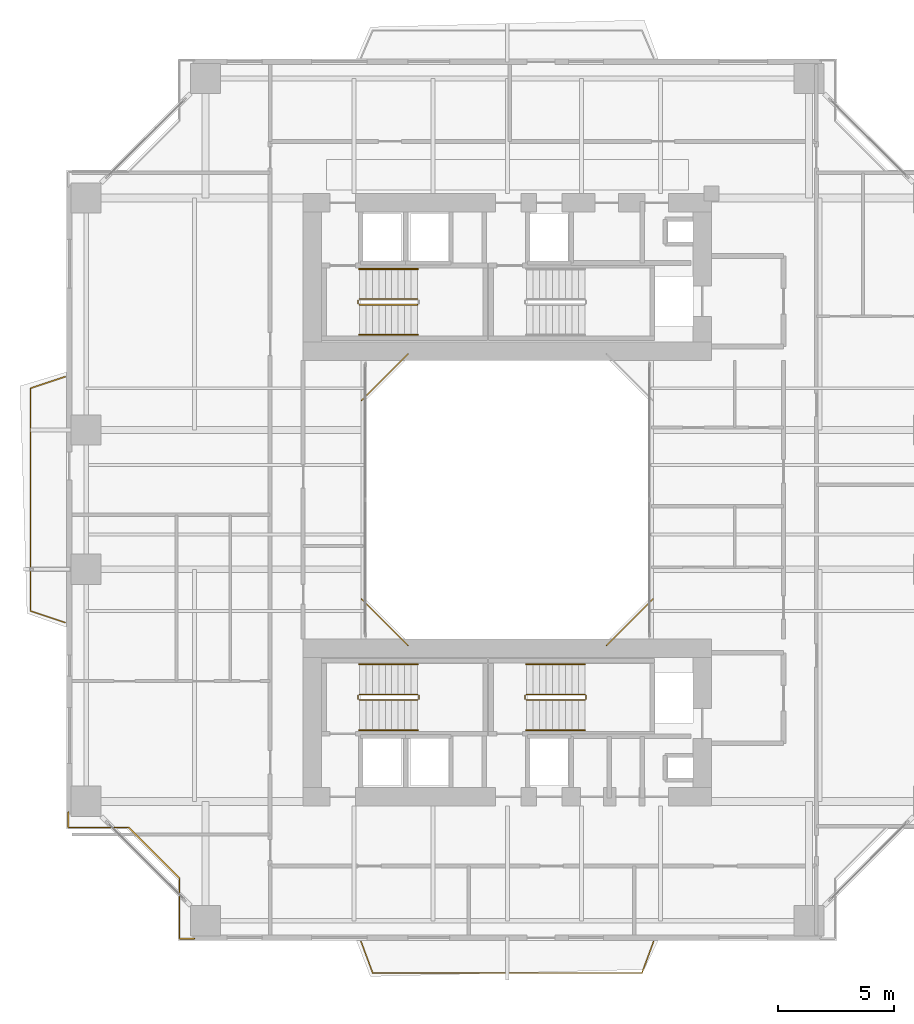
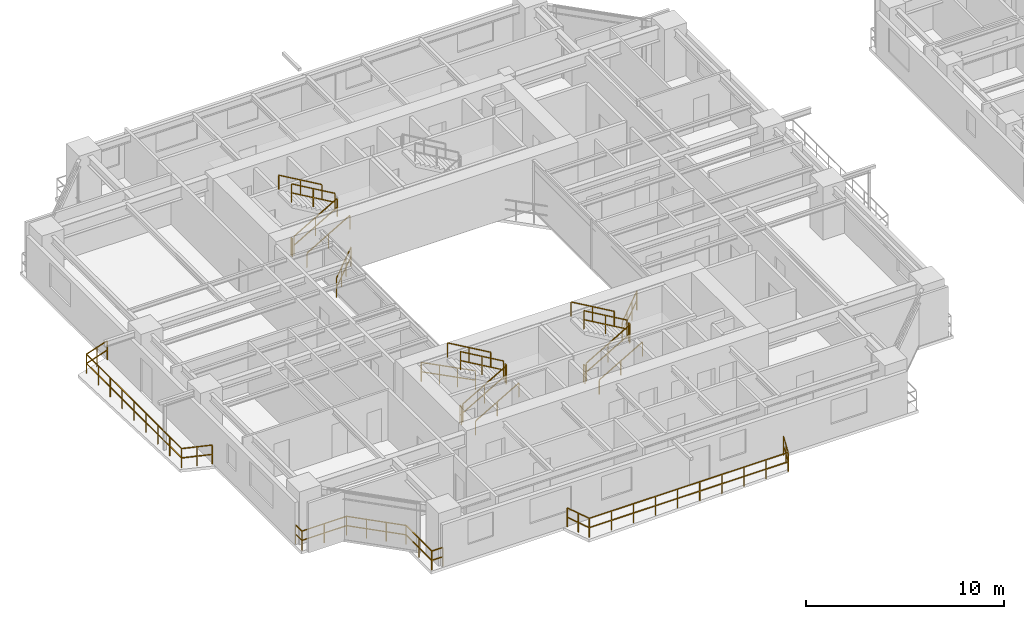
# One storey, part 20 of 23: 23 railings.
"""IFC4 building model written with IfcOpenShell, lengths in metres."""

from ifc_helpers import new_model, si_unit, direction, frame, origin, origin_2d, place, context, subcontext, project, spatial, rectangle, extrude, material, type_object, element, save


model = new_model("IFC4")

# Units and contexts
model_context = context("Model", 3, precision=1e-05, world=origin(), true_north=direction((0.0, 1.0)))
body_context = subcontext(model_context, "Body", "Model", "MODEL_VIEW")
ifc_project = project(units=[si_unit("LENGTHUNIT", "METRE"), si_unit("AREAUNIT", "SQUARE_METRE"), si_unit("VOLUMEUNIT", "CUBIC_METRE"), si_unit("PLANEANGLEUNIT", "RADIAN"), si_unit("MASSUNIT", "GRAM", prefix="KILO"), si_unit("THERMODYNAMICTEMPERATUREUNIT", "KELVIN"), si_unit("POWERUNIT", "WATT")], contexts=[model_context])

# Site, building, storey
site_placement = place(None, origin())
site = spatial("IfcSite", under=ifc_project, at=site_placement, CompositionType="ELEMENT")
building_placement = place(site_placement, origin())
building = spatial("IfcBuilding", under=site, at=building_placement, Name="Qiaomeng Ring Towers", CompositionType="ELEMENT")
storey_placement = place(building_placement, frame((0.0, 0.0, 26.25)))
storey = spatial("IfcBuildingStorey", under=building, at=storey_placement, Name="L06", CompositionType="ELEMENT", Elevation=26.25)

# Railings
ifc_material_1 = material(Name="Low-E pale-green laminated safety glass", Category="glass")
railing_type_1 = type_object("IfcRailingType", Name="ARC-RL-BAL1", PredefinedType="BALUSTRADE", material=ifc_material_1)
railing_1_placement = place(storey_placement, frame((23.280029296875, 16.719970703125, 0.0)))
element("IfcRailing", 1, at=railing_1_placement, inside=storey, type_object=railing_type_1, Name="L06 Balustrade ARC-BAL-WELL1-L06-1", PredefinedType="BALUSTRADE", context=body_context, shape_type="SweptSolid", body=[
    extrude(rectangle(XDim=0.048095703125, YDim=0.048095703125, at=origin_2d()), frame((0.0, 0.0, 1.17578125), z_axis=(0.707106781187, 0.707106781187, 0.0), x_axis=(-0.707106781187, 0.707106781187, 0.0)), (0.0, 0.0, 1.0), 2.828369140625),
    extrude(rectangle(XDim=0.048095703125, YDim=0.048095703125, at=origin_2d()), frame((0.0, 0.0, 0.60009765625), z_axis=(0.707106781187, 0.707106781187, 0.0), x_axis=(-0.707106781187, 0.707106781187, 0.0)), (0.0, 0.0, 1.0), 2.828369140625),
    extrude(rectangle(XDim=0.0419921875, YDim=0.0419921875, at=origin_2d()), origin(), (0.0, 0.0, 1.0), 1.15185546875),
    extrude(rectangle(XDim=0.0419921875, YDim=0.0419921875, at=origin_2d()), frame((0.666748046875, 0.666748046875, 0.0)), (0.0, 0.0, 1.0), 1.15185546875),
    extrude(rectangle(XDim=0.0419921875, YDim=0.0419921875, at=origin_2d()), frame((1.333251953125, 1.333251953125, 0.0)), (0.0, 0.0, 1.0), 1.15185546875),
    extrude(rectangle(XDim=0.0419921875, YDim=0.0419921875, at=origin_2d()), frame((2.0, 2.0, 0.0)), (0.0, 0.0, 1.0), 1.15185546875),
])
railing_2_placement = place(storey_placement, frame((14.719970703125, 29.280029296875, 0.0)))
element("IfcRailing", 2, at=railing_2_placement, inside=storey, type_object=railing_type_1, Name="L06 Balustrade ARC-BAL-WELL1-L06-3", PredefinedType="BALUSTRADE", context=body_context, shape_type="SweptSolid", body=[
    extrude(rectangle(XDim=0.048095703125, YDim=0.048095703125, at=origin_2d()), frame((0.0, 0.0, 1.17578125), z_axis=(-0.707106781187, -0.707106781187, 0.0), x_axis=(0.707106781187, -0.707106781187, 0.0)), (0.0, 0.0, 1.0), 2.828369140625),
    extrude(rectangle(XDim=0.048095703125, YDim=0.048095703125, at=origin_2d()), frame((0.0, 0.0, 0.60009765625), z_axis=(-0.707106781187, -0.707106781187, 0.0), x_axis=(0.707106781187, -0.707106781187, 0.0)), (0.0, 0.0, 1.0), 2.828369140625),
    extrude(rectangle(XDim=0.0419921875, YDim=0.0419921875, at=origin_2d()), origin(), (0.0, 0.0, 1.0), 1.15185546875),
    extrude(rectangle(XDim=0.0419921875, YDim=0.0419921875, at=origin_2d()), frame((-0.666748046875, -0.666748046875, 0.0)), (0.0, 0.0, 1.0), 1.15185546875),
    extrude(rectangle(XDim=0.0419921875, YDim=0.0419921875, at=origin_2d()), frame((-1.333251953125, -1.333251953125, 0.0)), (0.0, 0.0, 1.0), 1.15185546875),
    extrude(rectangle(XDim=0.0419921875, YDim=0.0419921875, at=origin_2d()), frame((-2.0, -2.0, 0.0)), (0.0, 0.0, 1.0), 1.15185546875),
])
railing_3_placement = place(storey_placement, frame((12.719970703125, 18.719970703125, 0.0)))
element("IfcRailing", 3, at=railing_3_placement, inside=storey, type_object=railing_type_1, Name="L06 Balustrade ARC-BAL-WELL1-L06-4", PredefinedType="BALUSTRADE", context=body_context, shape_type="SweptSolid", body=[
    extrude(rectangle(XDim=0.048095703125, YDim=0.048095703125, at=origin_2d()), frame((0.0, 0.0, 1.17578125), z_axis=(0.707106781187, -0.707106781187, 0.0), x_axis=(0.707106781187, 0.707106781187, 0.0)), (0.0, 0.0, 1.0), 2.828369140625),
    extrude(rectangle(XDim=0.048095703125, YDim=0.048095703125, at=origin_2d()), frame((0.0, 0.0, 0.60009765625), z_axis=(0.707106781187, -0.707106781187, 0.0), x_axis=(0.707106781187, 0.707106781187, 0.0)), (0.0, 0.0, 1.0), 2.828369140625),
    extrude(rectangle(XDim=0.0419921875, YDim=0.0419921875, at=origin_2d()), origin(), (0.0, 0.0, 1.0), 1.15185546875),
    extrude(rectangle(XDim=0.0419921875, YDim=0.0419921875, at=origin_2d()), frame((0.666748046875, -0.666748046875, 0.0)), (0.0, 0.0, 1.0), 1.15185546875),
    extrude(rectangle(XDim=0.0419921875, YDim=0.0419921875, at=origin_2d()), frame((1.333251953125, -1.333251953125, 0.0)), (0.0, 0.0, 1.0), 1.15185546875),
    extrude(rectangle(XDim=0.0419921875, YDim=0.0419921875, at=origin_2d()), frame((2.0, -2.0, 0.0)), (0.0, 0.0, 1.0), 1.15185546875),
])
railing_4_placement = place(storey_placement, frame((0.080078125, 9.530029296875, 0.0)))
element("IfcRailing", 4, at=railing_4_placement, inside=storey, type_object=railing_type_1, Name="L06 Balustrade ARC-BAL-NOTCH1-L06-SW", PredefinedType="BALUSTRADE", context=body_context, shape_type="SweptSolid", body=[
    extrude(rectangle(XDim=0.048095703125, YDim=0.048095703125, at=origin_2d()), frame((0.0, 0.0, 1.17578125), z_axis=(0.0, -1.0, 0.0), x_axis=(1.0, 0.0, 0.0)), (0.0, 0.0, 1.0), 0.650146484375),
    extrude(rectangle(XDim=0.048095703125, YDim=0.048095703125, at=origin_2d()), frame((0.0, 0.0, 0.60009765625), z_axis=(0.0, -1.0, 0.0), x_axis=(1.0, 0.0, 0.0)), (0.0, 0.0, 1.0), 0.650146484375),
    extrude(rectangle(XDim=0.048095703125, YDim=0.048095703125, at=origin_2d()), frame((0.0, -0.650146484375, 1.17578125), z_axis=(1.0, 0.0, 0.0), x_axis=(0.0, 1.0, 0.0)), (0.0, 0.0, 1.0), 2.599853515625),
    extrude(rectangle(XDim=0.048095703125, YDim=0.048095703125, at=origin_2d()), frame((0.0, -0.650146484375, 0.60009765625), z_axis=(1.0, 0.0, 0.0), x_axis=(0.0, 1.0, 0.0)), (0.0, 0.0, 1.0), 2.599853515625),
    extrude(rectangle(XDim=0.048095703125, YDim=0.048095703125, at=origin_2d()), frame((2.599853515625, -0.650146484375, 1.17578125), z_axis=(0.707106781187, -0.707106781187, 0.0), x_axis=(0.707106781187, 0.707106781187, 0.0)), (0.0, 0.0, 1.0), 3.111083984375),
    extrude(rectangle(XDim=0.048095703125, YDim=0.048095703125, at=origin_2d()), frame((2.599853515625, -0.650146484375, 0.60009765625), z_axis=(0.707106781187, -0.707106781187, 0.0), x_axis=(0.707106781187, 0.707106781187, 0.0)), (0.0, 0.0, 1.0), 3.111083984375),
    extrude(rectangle(XDim=0.048095703125, YDim=0.048095703125, at=origin_2d()), frame((4.7998046875, -2.85009765625, 1.17578125), z_axis=(0.0, -1.0, 0.0), x_axis=(1.0, 0.0, 0.0)), (0.0, 0.0, 1.0), 2.599853515625),
    extrude(rectangle(XDim=0.048095703125, YDim=0.048095703125, at=origin_2d()), frame((4.7998046875, -2.85009765625, 0.60009765625), z_axis=(0.0, -1.0, 0.0), x_axis=(1.0, 0.0, 0.0)), (0.0, 0.0, 1.0), 2.599853515625),
    extrude(rectangle(XDim=0.048095703125, YDim=0.048095703125, at=origin_2d()), frame((4.7998046875, -5.449951171875, 1.17578125), z_axis=(1.0, 0.0, 0.0), x_axis=(0.0, 1.0, 0.0)), (0.0, 0.0, 1.0), 0.650146484375),
    extrude(rectangle(XDim=0.048095703125, YDim=0.048095703125, at=origin_2d()), frame((4.7998046875, -5.449951171875, 0.60009765625), z_axis=(1.0, 0.0, 0.0), x_axis=(0.0, 1.0, 0.0)), (0.0, 0.0, 1.0), 0.650146484375),
    extrude(rectangle(XDim=0.0419921875, YDim=0.0419921875, at=origin_2d()), origin(), (0.0, 0.0, 1.0), 1.15185546875),
    extrude(rectangle(XDim=0.0419921875, YDim=0.0419921875, at=origin_2d()), frame((0.0, -0.650146484375, 0.0)), (0.0, 0.0, 1.0), 1.15185546875),
    extrude(rectangle(XDim=0.0419921875, YDim=0.0419921875, at=origin_2d()), frame((1.2998046875, -0.650146484375, 0.0)), (0.0, 0.0, 1.0), 1.15185546875),
    extrude(rectangle(XDim=0.0419921875, YDim=0.0419921875, at=origin_2d()), frame((2.599853515625, -0.650146484375, 0.0)), (0.0, 0.0, 1.0), 1.15185546875),
    extrude(rectangle(XDim=0.0419921875, YDim=0.0419921875, at=origin_2d()), frame((3.333251953125, -1.383544921875, 0.0)), (0.0, 0.0, 1.0), 1.15185546875),
    extrude(rectangle(XDim=0.0419921875, YDim=0.0419921875, at=origin_2d()), frame((4.06640625, -2.11669921875, 0.0)), (0.0, 0.0, 1.0), 1.15185546875),
    extrude(rectangle(XDim=0.0419921875, YDim=0.0419921875, at=origin_2d()), frame((4.7998046875, -2.85009765625, 0.0)), (0.0, 0.0, 1.0), 1.15185546875),
    extrude(rectangle(XDim=0.0419921875, YDim=0.0419921875, at=origin_2d()), frame((4.7998046875, -4.14990234375, 0.0)), (0.0, 0.0, 1.0), 1.15185546875),
    extrude(rectangle(XDim=0.0419921875, YDim=0.0419921875, at=origin_2d()), frame((4.7998046875, -5.449951171875, 0.0)), (0.0, 0.0, 1.0), 1.15185546875),
    extrude(rectangle(XDim=0.0419921875, YDim=0.0419921875, at=origin_2d()), frame((5.449951171875, -5.449951171875, 0.0)), (0.0, 0.0, 1.0), 1.15185546875),
])
railing_5_placement = place(storey_placement, frame((12.699951171875, 3.949951171875, 0.0)))
element("IfcRailing", 5, at=railing_5_placement, inside=storey, type_object=railing_type_1, Name="L06 Balustrade ARC-BAL-L06-T1-S", PredefinedType="BALUSTRADE", context=body_context, shape_type="SweptSolid", body=[
    extrude(rectangle(XDim=0.048095703125, YDim=0.048095703125, at=origin_2d()), frame((0.0, 0.0, 1.17578125), z_axis=(0.347347498827, -0.937736484871, 0.0), x_axis=(0.937736484871, 0.347347498827, 0.0)), (0.0, 0.0, 1.0), 1.439453125),
    extrude(rectangle(XDim=0.048095703125, YDim=0.048095703125, at=origin_2d()), frame((0.0, 0.0, 0.60009765625), z_axis=(0.347347498827, -0.937736484871, 0.0), x_axis=(0.937736484871, 0.347347498827, 0.0)), (0.0, 0.0, 1.0), 1.439453125),
    extrude(rectangle(XDim=0.048095703125, YDim=0.048095703125, at=origin_2d()), frame((0.5, -1.349853515625, 1.17578125), z_axis=(1.0, 0.0, 0.0), x_axis=(0.0, 1.0, 0.0)), (0.0, 0.0, 1.0), 11.60009765625),
    extrude(rectangle(XDim=0.048095703125, YDim=0.048095703125, at=origin_2d()), frame((0.5, -1.349853515625, 0.60009765625), z_axis=(1.0, 0.0, 0.0), x_axis=(0.0, 1.0, 0.0)), (0.0, 0.0, 1.0), 11.60009765625),
    extrude(rectangle(XDim=0.048095703125, YDim=0.048095703125, at=origin_2d()), frame((12.10009765625, -1.349853515625, 1.17578125), z_axis=(0.347347498827, 0.937736484871, 0.0), x_axis=(-0.937736484871, 0.347347498827, 0.0)), (0.0, 0.0, 1.0), 1.439453125),
    extrude(rectangle(XDim=0.048095703125, YDim=0.048095703125, at=origin_2d()), frame((12.10009765625, -1.349853515625, 0.60009765625), z_axis=(0.347347498827, 0.937736484871, 0.0), x_axis=(-0.937736484871, 0.347347498827, 0.0)), (0.0, 0.0, 1.0), 1.439453125),
    extrude(rectangle(XDim=0.0419921875, YDim=0.0419921875, at=origin_2d()), origin(), (0.0, 0.0, 1.0), 1.15185546875),
    extrude(rectangle(XDim=0.0419921875, YDim=0.0419921875, at=origin_2d()), frame((0.25, -0.6748046875, 0.0)), (0.0, 0.0, 1.0), 1.15185546875),
    extrude(rectangle(XDim=0.0419921875, YDim=0.0419921875, at=origin_2d()), frame((0.5, -1.349853515625, 0.0)), (0.0, 0.0, 1.0), 1.15185546875),
    extrude(rectangle(XDim=0.0419921875, YDim=0.0419921875, at=origin_2d()), frame((1.788818359375, -1.349853515625, 0.0)), (0.0, 0.0, 1.0), 1.15185546875),
    extrude(rectangle(XDim=0.0419921875, YDim=0.0419921875, at=origin_2d()), frame((3.077880859375, -1.349853515625, 0.0)), (0.0, 0.0, 1.0), 1.15185546875),
    extrude(rectangle(XDim=0.0419921875, YDim=0.0419921875, at=origin_2d()), frame((4.36669921875, -1.349853515625, 0.0)), (0.0, 0.0, 1.0), 1.15185546875),
    extrude(rectangle(XDim=0.0419921875, YDim=0.0419921875, at=origin_2d()), frame((5.655517578125, -1.349853515625, 0.0)), (0.0, 0.0, 1.0), 1.15185546875),
    extrude(rectangle(XDim=0.0419921875, YDim=0.0419921875, at=origin_2d()), frame((6.944580078125, -1.349853515625, 0.0)), (0.0, 0.0, 1.0), 1.15185546875),
    extrude(rectangle(XDim=0.0419921875, YDim=0.0419921875, at=origin_2d()), frame((8.2333984375, -1.349853515625, 0.0)), (0.0, 0.0, 1.0), 1.15185546875),
    extrude(rectangle(XDim=0.0419921875, YDim=0.0419921875, at=origin_2d()), frame((9.522216796875, -1.349853515625, 0.0)), (0.0, 0.0, 1.0), 1.15185546875),
    extrude(rectangle(XDim=0.0419921875, YDim=0.0419921875, at=origin_2d()), frame((10.811279296875, -1.349853515625, 0.0)), (0.0, 0.0, 1.0), 1.15185546875),
    extrude(rectangle(XDim=0.0419921875, YDim=0.0419921875, at=origin_2d()), frame((12.10009765625, -1.349853515625, 0.0)), (0.0, 0.0, 1.0), 1.15185546875),
    extrude(rectangle(XDim=0.0419921875, YDim=0.0419921875, at=origin_2d()), frame((12.35009765625, -0.6748046875, 0.0)), (0.0, 0.0, 1.0), 1.15185546875),
    extrude(rectangle(XDim=0.0419921875, YDim=0.0419921875, at=origin_2d()), frame((12.60009765625, 0.0, 0.0)), (0.0, 0.0, 1.0), 1.15185546875),
])
railing_6_placement = place(storey_placement, frame((-0.050048828125, 17.699951171875, 0.0)))
element("IfcRailing", 6, at=railing_6_placement, inside=storey, type_object=railing_type_1, Name="L06 Balustrade ARC-BAL-L06-T1-W", PredefinedType="BALUSTRADE", context=body_context, shape_type="SweptSolid", body=[
    extrude(rectangle(XDim=0.048095703125, YDim=0.048095703125, at=origin_2d()), frame((0.0, 0.0, 1.17578125), z_axis=(-0.948683298051, 0.316227766017, 0.0), x_axis=(-0.316227766017, -0.948683298051, 0.0)), (0.0, 0.0, 1.0), 1.5810546875),
    extrude(rectangle(XDim=0.048095703125, YDim=0.048095703125, at=origin_2d()), frame((0.0, 0.0, 0.60009765625), z_axis=(-0.948683298051, 0.316227766017, 0.0), x_axis=(-0.316227766017, -0.948683298051, 0.0)), (0.0, 0.0, 1.0), 1.5810546875),
    extrude(rectangle(XDim=0.048095703125, YDim=0.048095703125, at=origin_2d()), frame((-1.5, 0.5, 1.17578125), z_axis=(0.0, 1.0, 0.0), x_axis=(-1.0, 0.0, 0.0)), (0.0, 0.0, 1.0), 9.60009765625),
    extrude(rectangle(XDim=0.048095703125, YDim=0.048095703125, at=origin_2d()), frame((-1.5, 0.5, 0.60009765625), z_axis=(0.0, 1.0, 0.0), x_axis=(-1.0, 0.0, 0.0)), (0.0, 0.0, 1.0), 9.60009765625),
    extrude(rectangle(XDim=0.048095703125, YDim=0.048095703125, at=origin_2d()), frame((-1.5, 10.10009765625, 1.17578125), z_axis=(0.948683298051, 0.316227766017, 0.0), x_axis=(-0.316227766017, 0.948683298051, 0.0)), (0.0, 0.0, 1.0), 1.5810546875),
    extrude(rectangle(XDim=0.048095703125, YDim=0.048095703125, at=origin_2d()), frame((-1.5, 10.10009765625, 0.60009765625), z_axis=(0.948683298051, 0.316227766017, 0.0), x_axis=(-0.316227766017, 0.948683298051, 0.0)), (0.0, 0.0, 1.0), 1.5810546875),
    extrude(rectangle(XDim=0.0419921875, YDim=0.0419921875, at=origin_2d()), origin(), (0.0, 0.0, 1.0), 1.15185546875),
    extrude(rectangle(XDim=0.0419921875, YDim=0.0419921875, at=origin_2d()), frame((-0.75, 0.25, 0.0)), (0.0, 0.0, 1.0), 1.15185546875),
    extrude(rectangle(XDim=0.0419921875, YDim=0.0419921875, at=origin_2d()), frame((-1.5, 0.5, 0.0)), (0.0, 0.0, 1.0), 1.15185546875),
    extrude(rectangle(XDim=0.0419921875, YDim=0.0419921875, at=origin_2d()), frame((-1.5, 1.699951171875, 0.0)), (0.0, 0.0, 1.0), 1.15185546875),
    extrude(rectangle(XDim=0.0419921875, YDim=0.0419921875, at=origin_2d()), frame((-1.5, 2.89990234375, 0.0)), (0.0, 0.0, 1.0), 1.15185546875),
    extrude(rectangle(XDim=0.0419921875, YDim=0.0419921875, at=origin_2d()), frame((-1.5, 4.10009765625, 0.0)), (0.0, 0.0, 1.0), 1.15185546875),
    extrude(rectangle(XDim=0.0419921875, YDim=0.0419921875, at=origin_2d()), frame((-1.5, 5.300048828125, 0.0)), (0.0, 0.0, 1.0), 1.15185546875),
    extrude(rectangle(XDim=0.0419921875, YDim=0.0419921875, at=origin_2d()), frame((-1.5, 6.5, 0.0)), (0.0, 0.0, 1.0), 1.15185546875),
    extrude(rectangle(XDim=0.0419921875, YDim=0.0419921875, at=origin_2d()), frame((-1.5, 7.7001953125, 0.0)), (0.0, 0.0, 1.0), 1.15185546875),
    extrude(rectangle(XDim=0.0419921875, YDim=0.0419921875, at=origin_2d()), frame((-1.5, 8.900146484375, 0.0)), (0.0, 0.0, 1.0), 1.15185546875),
    extrude(rectangle(XDim=0.0419921875, YDim=0.0419921875, at=origin_2d()), frame((-1.5, 10.10009765625, 0.0)), (0.0, 0.0, 1.0), 1.15185546875),
    extrude(rectangle(XDim=0.0419921875, YDim=0.0419921875, at=origin_2d()), frame((-0.75, 10.35009765625, 0.0)), (0.0, 0.0, 1.0), 1.15185546875),
    extrude(rectangle(XDim=0.0419921875, YDim=0.0419921875, at=origin_2d()), frame((0.0, 10.60009765625, 0.0)), (0.0, 0.0, 1.0), 1.15185546875),
])
ifc_material_2 = material(Name="Galvanised steel", Category="steel")
railing_type_2 = type_object("IfcRailingType", Name="ARC-RL-GUARD", PredefinedType="GUARDRAIL", material=ifc_material_2)
railing_7_placement = place(storey_placement, frame((12.6201171875, 31.39990234375, 0.16259765625)))
element("IfcRailing", 7, at=railing_7_placement, inside=storey, type_object=railing_type_2, Name="L06 ST1 stair guard 1", PredefinedType="GUARDRAIL", context=body_context, shape_type="SweptSolid", body=[
    extrude(rectangle(XDim=0.048095703125, YDim=0.048095703125, at=origin_2d()), frame((0.0, 0.0, 1.1259765625), z_axis=(0.864892226395, 0.0, 0.501957604506), x_axis=(0.0, 1.0, 0.0)), (0.0, 0.0, 1.0), 2.913330078125),
    extrude(rectangle(XDim=0.048095703125, YDim=0.048095703125, at=origin_2d()), frame((0.0, 0.0, 0.574951171875), z_axis=(0.864892226395, 0.0, 0.501957604506), x_axis=(0.0, 1.0, 0.0)), (0.0, 0.0, 1.0), 2.913330078125),
    extrude(rectangle(XDim=0.0419921875, YDim=0.0419921875, at=origin_2d()), origin(), (0.0, 0.0, 1.0), 1.101806640625),
    extrude(rectangle(XDim=0.0419921875, YDim=0.0419921875, at=origin_2d()), frame((1.259765625, 0.0, 0.731201171875)), (0.0, 0.0, 1.0), 1.101806640625),
    extrude(rectangle(XDim=0.0419921875, YDim=0.0419921875, at=origin_2d()), frame((2.519775390625, 0.0, 1.46240234375)), (0.0, 0.0, 1.0), 1.101806640625),
])
railing_8_placement = place(storey_placement, frame((15.139892578125, 31.639892578125, 1.78759765625)))
element("IfcRailing", 8, at=railing_8_placement, inside=storey, type_object=railing_type_2, Name="L06 ST1 stair guard 3", PredefinedType="GUARDRAIL", context=body_context, shape_type="SweptSolid", body=[
    extrude(rectangle(XDim=0.048095703125, YDim=0.048095703125, at=origin_2d()), frame((0.0, 0.0, 1.1259765625), z_axis=(-0.864892226395, 0.0, 0.501957604506), x_axis=(0.0, -1.0, 0.0)), (0.0, 0.0, 1.0), 2.913330078125),
    extrude(rectangle(XDim=0.048095703125, YDim=0.048095703125, at=origin_2d()), frame((0.0, 0.0, 0.574951171875), z_axis=(-0.864892226395, 0.0, 0.501957604506), x_axis=(0.0, -1.0, 0.0)), (0.0, 0.0, 1.0), 2.913330078125),
    extrude(rectangle(XDim=0.0419921875, YDim=0.0419921875, at=origin_2d()), origin(), (0.0, 0.0, 1.0), 1.101806640625),
    extrude(rectangle(XDim=0.0419921875, YDim=0.0419921875, at=origin_2d()), frame((-1.259765625, 0.0, 0.731201171875)), (0.0, 0.0, 1.0), 1.101806640625),
    extrude(rectangle(XDim=0.0419921875, YDim=0.0419921875, at=origin_2d()), frame((-2.519775390625, 0.0, 1.46240234375)), (0.0, 0.0, 1.0), 1.101806640625),
])
railing_9_placement = place(storey_placement, frame((12.570068359375, 31.449951171875, 0.0)))
element("IfcRailing", 9, at=railing_9_placement, inside=storey, type_object=railing_type_2, Name="L06 ST1 stair guard 4", PredefinedType="GUARDRAIL", context=body_context, shape_type="SweptSolid", body=[
    extrude(rectangle(XDim=0.048095703125, YDim=0.048095703125, at=origin_2d()), frame((0.0, 0.0, 1.1259765625), z_axis=(0.0, 1.0, 0.0), x_axis=(-1.0, 0.0, 0.0)), (0.0, 0.0, 1.0), 0.14013671875),
    extrude(rectangle(XDim=0.048095703125, YDim=0.048095703125, at=origin_2d()), frame((0.0, 0.0, 0.574951171875), z_axis=(0.0, 1.0, 0.0), x_axis=(-1.0, 0.0, 0.0)), (0.0, 0.0, 1.0), 0.14013671875),
    extrude(rectangle(XDim=0.0419921875, YDim=0.0419921875, at=origin_2d()), origin(), (0.0, 0.0, 1.0), 1.101806640625),
    extrude(rectangle(XDim=0.0419921875, YDim=0.0419921875, at=origin_2d()), frame((0.0, 0.14013671875, 0.0)), (0.0, 0.0, 1.0), 1.101806640625),
])
railing_10_placement = place(storey_placement, frame((12.6201171875, 14.360107421875, 0.16259765625)))
element("IfcRailing", 10, at=railing_10_placement, inside=storey, type_object=railing_type_2, Name="L06 ST3 stair guard 1", PredefinedType="GUARDRAIL", context=body_context, shape_type="SweptSolid", body=[
    extrude(rectangle(XDim=0.048095703125, YDim=0.048095703125, at=origin_2d()), frame((0.0, 0.0, 1.1259765625), z_axis=(0.864892226395, 0.0, 0.501957604506), x_axis=(0.0, 1.0, 0.0)), (0.0, 0.0, 1.0), 2.913330078125),
    extrude(rectangle(XDim=0.048095703125, YDim=0.048095703125, at=origin_2d()), frame((0.0, 0.0, 0.574951171875), z_axis=(0.864892226395, 0.0, 0.501957604506), x_axis=(0.0, 1.0, 0.0)), (0.0, 0.0, 1.0), 2.913330078125),
    extrude(rectangle(XDim=0.0419921875, YDim=0.0419921875, at=origin_2d()), origin(), (0.0, 0.0, 1.0), 1.101806640625),
    extrude(rectangle(XDim=0.0419921875, YDim=0.0419921875, at=origin_2d()), frame((1.259765625, 0.0, 0.731201171875)), (0.0, 0.0, 1.0), 1.101806640625),
    extrude(rectangle(XDim=0.0419921875, YDim=0.0419921875, at=origin_2d()), frame((2.519775390625, 0.0, 1.46240234375)), (0.0, 0.0, 1.0), 1.101806640625),
])
railing_11_placement = place(storey_placement, frame((15.18994140625, 14.409912109375, 1.625)))
element("IfcRailing", 11, at=railing_11_placement, inside=storey, type_object=railing_type_2, Name="L06 ST3 stair guard 2", PredefinedType="GUARDRAIL", context=body_context, shape_type="SweptSolid", body=[
    extrude(rectangle(XDim=0.048095703125, YDim=0.048095703125, at=origin_2d()), frame((0.0, 0.0, 1.1259765625), z_axis=(0.0, 1.0, 0.0), x_axis=(-1.0, 0.0, 0.0)), (0.0, 0.0, 1.0), 0.14013671875),
    extrude(rectangle(XDim=0.048095703125, YDim=0.048095703125, at=origin_2d()), frame((0.0, 0.0, 0.574951171875), z_axis=(0.0, 1.0, 0.0), x_axis=(-1.0, 0.0, 0.0)), (0.0, 0.0, 1.0), 0.14013671875),
    extrude(rectangle(XDim=0.0419921875, YDim=0.0419921875, at=origin_2d()), origin(), (0.0, 0.0, 1.0), 1.101806640625),
    extrude(rectangle(XDim=0.0419921875, YDim=0.0419921875, at=origin_2d()), frame((0.0, 0.14013671875, 0.0)), (0.0, 0.0, 1.0), 1.101806640625),
])
railing_12_placement = place(storey_placement, frame((15.139892578125, 14.60009765625, 1.78759765625)))
element("IfcRailing", 12, at=railing_12_placement, inside=storey, type_object=railing_type_2, Name="L06 ST3 stair guard 3", PredefinedType="GUARDRAIL", context=body_context, shape_type="SweptSolid", body=[
    extrude(rectangle(XDim=0.048095703125, YDim=0.048095703125, at=origin_2d()), frame((0.0, 0.0, 1.1259765625), z_axis=(-0.864892226395, 0.0, 0.501957604506), x_axis=(0.0, -1.0, 0.0)), (0.0, 0.0, 1.0), 2.913330078125),
    extrude(rectangle(XDim=0.048095703125, YDim=0.048095703125, at=origin_2d()), frame((0.0, 0.0, 0.574951171875), z_axis=(-0.864892226395, 0.0, 0.501957604506), x_axis=(0.0, -1.0, 0.0)), (0.0, 0.0, 1.0), 2.913330078125),
    extrude(rectangle(XDim=0.0419921875, YDim=0.0419921875, at=origin_2d()), origin(), (0.0, 0.0, 1.0), 1.101806640625),
    extrude(rectangle(XDim=0.0419921875, YDim=0.0419921875, at=origin_2d()), frame((-1.259765625, 0.0, 0.731201171875)), (0.0, 0.0, 1.0), 1.101806640625),
    extrude(rectangle(XDim=0.0419921875, YDim=0.0419921875, at=origin_2d()), frame((-2.519775390625, 0.0, 1.46240234375)), (0.0, 0.0, 1.0), 1.101806640625),
])
railing_13_placement = place(storey_placement, frame((12.570068359375, 14.409912109375, 0.0)))
element("IfcRailing", 13, at=railing_13_placement, inside=storey, type_object=railing_type_2, Name="L06 ST3 stair guard 4", PredefinedType="GUARDRAIL", context=body_context, shape_type="SweptSolid", body=[
    extrude(rectangle(XDim=0.048095703125, YDim=0.048095703125, at=origin_2d()), frame((0.0, 0.0, 1.1259765625), z_axis=(0.0, 1.0, 0.0), x_axis=(-1.0, 0.0, 0.0)), (0.0, 0.0, 1.0), 0.14013671875),
    extrude(rectangle(XDim=0.048095703125, YDim=0.048095703125, at=origin_2d()), frame((0.0, 0.0, 0.574951171875), z_axis=(0.0, 1.0, 0.0), x_axis=(-1.0, 0.0, 0.0)), (0.0, 0.0, 1.0), 0.14013671875),
    extrude(rectangle(XDim=0.0419921875, YDim=0.0419921875, at=origin_2d()), origin(), (0.0, 0.0, 1.0), 1.101806640625),
    extrude(rectangle(XDim=0.0419921875, YDim=0.0419921875, at=origin_2d()), frame((0.0, 0.14013671875, 0.0)), (0.0, 0.0, 1.0), 1.101806640625),
])
railing_14_placement = place(storey_placement, frame((19.820068359375, 14.360107421875, 0.16259765625)))
element("IfcRailing", 14, at=railing_14_placement, inside=storey, type_object=railing_type_2, Name="L06 ST4 stair guard 1", PredefinedType="GUARDRAIL", context=body_context, shape_type="SweptSolid", body=[
    extrude(rectangle(XDim=0.048095703125, YDim=0.048095703125, at=origin_2d()), frame((0.0, 0.0, 1.1259765625), z_axis=(0.864913338283, 0.0, 0.50192122615), x_axis=(0.0, 1.0, 0.0)), (0.0, 0.0, 1.0), 2.91357421875),
    extrude(rectangle(XDim=0.048095703125, YDim=0.048095703125, at=origin_2d()), frame((0.0, 0.0, 0.574951171875), z_axis=(0.864913338283, 0.0, 0.50192122615), x_axis=(0.0, 1.0, 0.0)), (0.0, 0.0, 1.0), 2.91357421875),
    extrude(rectangle(XDim=0.0419921875, YDim=0.0419921875, at=origin_2d()), origin(), (0.0, 0.0, 1.0), 1.101806640625),
    extrude(rectangle(XDim=0.0419921875, YDim=0.0419921875, at=origin_2d()), frame((1.260009765625, 0.0, 0.731201171875)), (0.0, 0.0, 1.0), 1.101806640625),
    extrude(rectangle(XDim=0.0419921875, YDim=0.0419921875, at=origin_2d()), frame((2.52001953125, 0.0, 1.46240234375)), (0.0, 0.0, 1.0), 1.101806640625),
])
railing_15_placement = place(storey_placement, frame((22.389892578125, 14.409912109375, 1.625)))
element("IfcRailing", 15, at=railing_15_placement, inside=storey, type_object=railing_type_2, Name="L06 ST4 stair guard 2", PredefinedType="GUARDRAIL", context=body_context, shape_type="SweptSolid", body=[
    extrude(rectangle(XDim=0.048095703125, YDim=0.048095703125, at=origin_2d()), frame((0.0, 0.0, 1.1259765625), z_axis=(0.0, 1.0, 0.0), x_axis=(-1.0, 0.0, 0.0)), (0.0, 0.0, 1.0), 0.14013671875),
    extrude(rectangle(XDim=0.048095703125, YDim=0.048095703125, at=origin_2d()), frame((0.0, 0.0, 0.574951171875), z_axis=(0.0, 1.0, 0.0), x_axis=(-1.0, 0.0, 0.0)), (0.0, 0.0, 1.0), 0.14013671875),
    extrude(rectangle(XDim=0.0419921875, YDim=0.0419921875, at=origin_2d()), origin(), (0.0, 0.0, 1.0), 1.101806640625),
    extrude(rectangle(XDim=0.0419921875, YDim=0.0419921875, at=origin_2d()), frame((0.0, 0.14013671875, 0.0)), (0.0, 0.0, 1.0), 1.101806640625),
])
railing_16_placement = place(storey_placement, frame((22.340087890625, 14.60009765625, 1.78759765625)))
element("IfcRailing", 16, at=railing_16_placement, inside=storey, type_object=railing_type_2, Name="L06 ST4 stair guard 3", PredefinedType="GUARDRAIL", context=body_context, shape_type="SweptSolid", body=[
    extrude(rectangle(XDim=0.048095703125, YDim=0.048095703125, at=origin_2d()), frame((0.0, 0.0, 1.1259765625), z_axis=(-0.864913338283, 0.0, 0.50192122615), x_axis=(0.0, -1.0, 0.0)), (0.0, 0.0, 1.0), 2.91357421875),
    extrude(rectangle(XDim=0.048095703125, YDim=0.048095703125, at=origin_2d()), frame((0.0, 0.0, 0.574951171875), z_axis=(-0.864913338283, 0.0, 0.50192122615), x_axis=(0.0, -1.0, 0.0)), (0.0, 0.0, 1.0), 2.91357421875),
    extrude(rectangle(XDim=0.0419921875, YDim=0.0419921875, at=origin_2d()), origin(), (0.0, 0.0, 1.0), 1.101806640625),
    extrude(rectangle(XDim=0.0419921875, YDim=0.0419921875, at=origin_2d()), frame((-1.260009765625, 0.0, 0.731201171875)), (0.0, 0.0, 1.0), 1.101806640625),
    extrude(rectangle(XDim=0.0419921875, YDim=0.0419921875, at=origin_2d()), frame((-2.52001953125, 0.0, 1.46240234375)), (0.0, 0.0, 1.0), 1.101806640625),
])
railing_17_placement = place(storey_placement, frame((19.77001953125, 14.409912109375, 0.0)))
element("IfcRailing", 17, at=railing_17_placement, inside=storey, type_object=railing_type_2, Name="L06 ST4 stair guard 4", PredefinedType="GUARDRAIL", context=body_context, shape_type="SweptSolid", body=[
    extrude(rectangle(XDim=0.048095703125, YDim=0.048095703125, at=origin_2d()), frame((0.0, 0.0, 1.1259765625), z_axis=(0.0, 1.0, 0.0), x_axis=(-1.0, 0.0, 0.0)), (0.0, 0.0, 1.0), 0.14013671875),
    extrude(rectangle(XDim=0.048095703125, YDim=0.048095703125, at=origin_2d()), frame((0.0, 0.0, 0.574951171875), z_axis=(0.0, 1.0, 0.0), x_axis=(-1.0, 0.0, 0.0)), (0.0, 0.0, 1.0), 0.14013671875),
    extrude(rectangle(XDim=0.0419921875, YDim=0.0419921875, at=origin_2d()), origin(), (0.0, 0.0, 1.0), 1.101806640625),
    extrude(rectangle(XDim=0.0419921875, YDim=0.0419921875, at=origin_2d()), frame((0.0, 0.14013671875, 0.0)), (0.0, 0.0, 1.0), 1.101806640625),
])
ifc_material_3 = material(Name="Stainless steel 316", Category="steel")
railing_type_3 = type_object("IfcRailingType", Name="ARC-RL-HAND", PredefinedType="HANDRAIL", material=ifc_material_3)
railing_18_placement = place(storey_placement, frame((12.6201171875, 30.10009765625, 0.16259765625)))
element("IfcRailing", 18, at=railing_18_placement, inside=storey, type_object=railing_type_3, Name="L06 ST1 stair handrail 1", PredefinedType="HANDRAIL", context=body_context, shape_type="SweptSolid", body=[
    extrude(rectangle(XDim=0.048095703125, YDim=0.048095703125, at=origin_2d()), frame((0.0, 0.0, 0.8759765625), z_axis=(0.864892226395, 0.0, 0.501957604506), x_axis=(0.0, 1.0, 0.0)), (0.0, 0.0, 1.0), 2.913330078125),
    extrude(rectangle(XDim=0.0419921875, YDim=0.0419921875, at=origin_2d()), origin(), (0.0, 0.0, 1.0), 0.851806640625),
    extrude(rectangle(XDim=0.0419921875, YDim=0.0419921875, at=origin_2d()), frame((1.259765625, 0.0, 0.731201171875)), (0.0, 0.0, 1.0), 0.851806640625),
    extrude(rectangle(XDim=0.0419921875, YDim=0.0419921875, at=origin_2d()), frame((2.519775390625, 0.0, 1.46240234375)), (0.0, 0.0, 1.0), 0.851806640625),
])
railing_19_placement = place(storey_placement, frame((15.139892578125, 32.93994140625, 1.78759765625)))
element("IfcRailing", 19, at=railing_19_placement, inside=storey, type_object=railing_type_3, Name="L06 ST1 stair handrail 2", PredefinedType="HANDRAIL", context=body_context, shape_type="SweptSolid", body=[
    extrude(rectangle(XDim=0.048095703125, YDim=0.048095703125, at=origin_2d()), frame((0.0, 0.0, 0.8759765625), z_axis=(-0.864892226395, 0.0, 0.501957604506), x_axis=(0.0, -1.0, 0.0)), (0.0, 0.0, 1.0), 2.913330078125),
    extrude(rectangle(XDim=0.0419921875, YDim=0.0419921875, at=origin_2d()), origin(), (0.0, 0.0, 1.0), 0.851806640625),
    extrude(rectangle(XDim=0.0419921875, YDim=0.0419921875, at=origin_2d()), frame((-1.259765625, 0.0, 0.731201171875)), (0.0, 0.0, 1.0), 0.851806640625),
    extrude(rectangle(XDim=0.0419921875, YDim=0.0419921875, at=origin_2d()), frame((-2.519775390625, 0.0, 1.46240234375)), (0.0, 0.0, 1.0), 0.851806640625),
])
railing_20_placement = place(storey_placement, frame((12.6201171875, 13.06005859375, 0.16259765625)))
element("IfcRailing", 20, at=railing_20_placement, inside=storey, type_object=railing_type_3, Name="L06 ST3 stair handrail 1", PredefinedType="HANDRAIL", context=body_context, shape_type="SweptSolid", body=[
    extrude(rectangle(XDim=0.048095703125, YDim=0.048095703125, at=origin_2d()), frame((0.0, 0.0, 0.8759765625), z_axis=(0.864892226395, 0.0, 0.501957604506), x_axis=(0.0, 1.0, 0.0)), (0.0, 0.0, 1.0), 2.913330078125),
    extrude(rectangle(XDim=0.0419921875, YDim=0.0419921875, at=origin_2d()), origin(), (0.0, 0.0, 1.0), 0.851806640625),
    extrude(rectangle(XDim=0.0419921875, YDim=0.0419921875, at=origin_2d()), frame((1.259765625, 0.0, 0.731201171875)), (0.0, 0.0, 1.0), 0.851806640625),
    extrude(rectangle(XDim=0.0419921875, YDim=0.0419921875, at=origin_2d()), frame((2.519775390625, 0.0, 1.46240234375)), (0.0, 0.0, 1.0), 0.851806640625),
])
railing_21_placement = place(storey_placement, frame((15.139892578125, 15.89990234375, 1.78759765625)))
element("IfcRailing", 21, at=railing_21_placement, inside=storey, type_object=railing_type_3, Name="L06 ST3 stair handrail 2", PredefinedType="HANDRAIL", context=body_context, shape_type="SweptSolid", body=[
    extrude(rectangle(XDim=0.048095703125, YDim=0.048095703125, at=origin_2d()), frame((0.0, 0.0, 0.8759765625), z_axis=(-0.864892226395, 0.0, 0.501957604506), x_axis=(0.0, -1.0, 0.0)), (0.0, 0.0, 1.0), 2.913330078125),
    extrude(rectangle(XDim=0.0419921875, YDim=0.0419921875, at=origin_2d()), origin(), (0.0, 0.0, 1.0), 0.851806640625),
    extrude(rectangle(XDim=0.0419921875, YDim=0.0419921875, at=origin_2d()), frame((-1.259765625, 0.0, 0.731201171875)), (0.0, 0.0, 1.0), 0.851806640625),
    extrude(rectangle(XDim=0.0419921875, YDim=0.0419921875, at=origin_2d()), frame((-2.519775390625, 0.0, 1.46240234375)), (0.0, 0.0, 1.0), 0.851806640625),
])
railing_22_placement = place(storey_placement, frame((19.820068359375, 13.06005859375, 0.16259765625)))
element("IfcRailing", 22, at=railing_22_placement, inside=storey, type_object=railing_type_3, Name="L06 ST4 stair handrail 1", PredefinedType="HANDRAIL", context=body_context, shape_type="SweptSolid", body=[
    extrude(rectangle(XDim=0.048095703125, YDim=0.048095703125, at=origin_2d()), frame((0.0, 0.0, 0.8759765625), z_axis=(0.864913338283, 0.0, 0.50192122615), x_axis=(0.0, 1.0, 0.0)), (0.0, 0.0, 1.0), 2.91357421875),
    extrude(rectangle(XDim=0.0419921875, YDim=0.0419921875, at=origin_2d()), origin(), (0.0, 0.0, 1.0), 0.851806640625),
    extrude(rectangle(XDim=0.0419921875, YDim=0.0419921875, at=origin_2d()), frame((1.260009765625, 0.0, 0.731201171875)), (0.0, 0.0, 1.0), 0.851806640625),
    extrude(rectangle(XDim=0.0419921875, YDim=0.0419921875, at=origin_2d()), frame((2.52001953125, 0.0, 1.46240234375)), (0.0, 0.0, 1.0), 0.851806640625),
])
railing_23_placement = place(storey_placement, frame((22.340087890625, 15.89990234375, 1.78759765625)))
element("IfcRailing", 23, at=railing_23_placement, inside=storey, type_object=railing_type_3, Name="L06 ST4 stair handrail 2", PredefinedType="HANDRAIL", context=body_context, shape_type="SweptSolid", body=[
    extrude(rectangle(XDim=0.048095703125, YDim=0.048095703125, at=origin_2d()), frame((0.0, 0.0, 0.8759765625), z_axis=(-0.864913338283, 0.0, 0.50192122615), x_axis=(0.0, -1.0, 0.0)), (0.0, 0.0, 1.0), 2.91357421875),
    extrude(rectangle(XDim=0.0419921875, YDim=0.0419921875, at=origin_2d()), origin(), (0.0, 0.0, 1.0), 0.851806640625),
    extrude(rectangle(XDim=0.0419921875, YDim=0.0419921875, at=origin_2d()), frame((-1.260009765625, 0.0, 0.731201171875)), (0.0, 0.0, 1.0), 0.851806640625),
    extrude(rectangle(XDim=0.0419921875, YDim=0.0419921875, at=origin_2d()), frame((-2.52001953125, 0.0, 1.46240234375)), (0.0, 0.0, 1.0), 0.851806640625),
])

save(model, "model.ifc")
